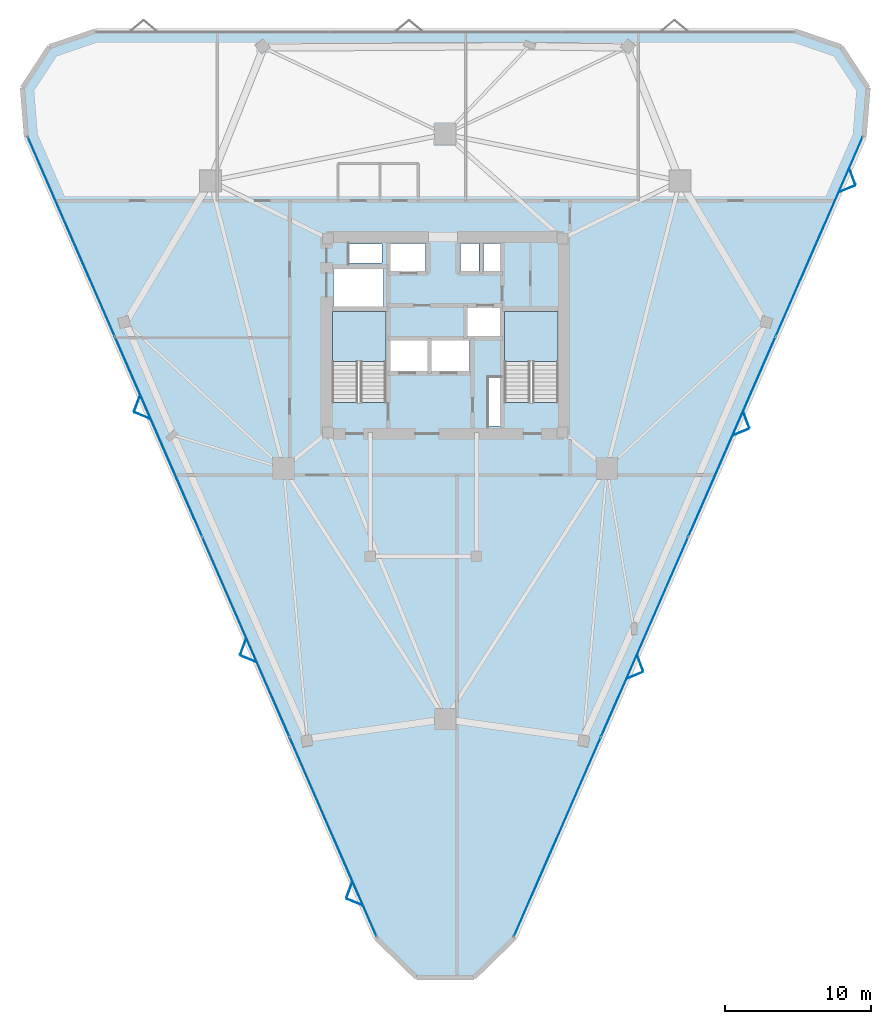
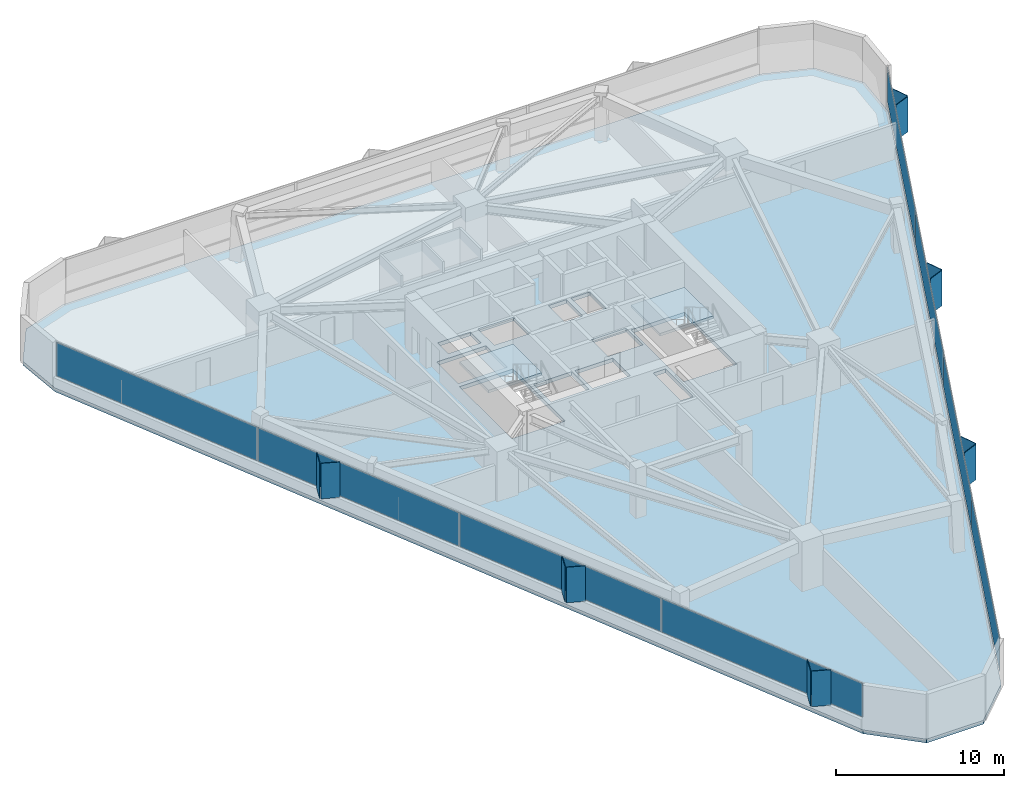
# One storey, part 10 of 16: 20 plates, 3 slabs, 4 elements without a shape of their own.
"""IFC4 building model written with IfcOpenShell, lengths in metres."""

from ifc_helpers import new_model, si_unit, direction, frame, origin, origin_2d, place, context, subcontext, project, spatial, polyline, rectangle, outline, extrude, material, layer, layer_set, type_object, element, aggregate, save


model = new_model("IFC4")

# Units and contexts
model_context = context("Model", 3, precision=1e-05, world=origin(), true_north=direction((0.0, 1.0)))
body_context = subcontext(model_context, "Body", "Model", "MODEL_VIEW")
ifc_project = project(units=[si_unit("LENGTHUNIT", "METRE"), si_unit("AREAUNIT", "SQUARE_METRE"), si_unit("VOLUMEUNIT", "CUBIC_METRE"), si_unit("PLANEANGLEUNIT", "RADIAN"), si_unit("MASSUNIT", "GRAM", prefix="KILO")], contexts=[model_context])

# Site, building, storey
site_placement = place(None, origin())
site = spatial("IfcSite", under=ifc_project, at=site_placement, CompositionType="ELEMENT")
building_placement = place(site_placement, origin())
building = spatial("IfcBuilding", under=site, at=building_placement, Name="Talyreon Biosciences Tower", CompositionType="ELEMENT")
storey_placement = place(building_placement, frame((0.0, 0.0, 134.5)))
storey = spatial("IfcBuildingStorey", under=building, at=storey_placement, Name="L35", CompositionType="ELEMENT", Elevation=134.5)

# Curtain wall, plates
ifc_material_1 = material(Name="Thermally broken aluminium and low-E glazing", Category="aluminium")
ifc_layer_1 = layer(ifc_material_1, 0.18505859375)
ifc_layer_set_1 = layer_set([ifc_layer_1], Name="Thermally broken aluminium and low-E glazing")
curtain_wall_type = type_object("IfcCurtainWallType", Name="CurtainWall_Zone3Bioprocess", PredefinedType="NOTDEFINED", material=ifc_layer_set_1)
curtain_wall_1_placement = place(storey_placement, origin())
curtain_wall_1 = element("IfcCurtainWall", 1, at=curtain_wall_1_placement, inside=storey, type_object=curtain_wall_type, Name="L35 Unitised Curtain Wall FCW-L35-00", PredefinedType="NOTDEFINED")
ifc_material_2 = material(Name="Triple-silver low-E insulated glazing", Category="glass")
ifc_layer_2 = layer(ifc_material_2, 0.031982421875)
ifc_layer_set_2 = layer_set([ifc_layer_2], Name="Triple-silver low-E insulated glazing")
plate_type_1 = type_object("IfcPlateType", Name="CWGlazingPanel_32", PredefinedType="CURTAIN_PANEL", material=ifc_layer_set_2)
plate_1_placement = place(storey_placement, frame((58.305908203125, 33.604736328125, 0.875), z_axis=(0.0, 0.0, 1.0), x_axis=(-0.399882429801, 0.916566441856, 0.0)))
plate_1 = element("IfcPlate", 2, at=plate_1_placement, type_object=plate_type_1, Name="CW4 panel 1.1", PredefinedType="CURTAIN_PANEL", context=body_context, shape_type="SweptSolid", body=[
    extrude(rectangle(XDim=14.88037109375, YDim=0.031982421875, at=origin_2d()), origin(), (0.0, 0.0, 1.0), 2.43505859375),
])
plate_2_placement = place(storey_placement, frame((52.322998046875, 47.318115234375, 0.875), z_axis=(0.0, 0.0, 1.0), x_axis=(-0.399882429801, 0.916566441856, 0.0)))
plate_2 = element("IfcPlate", 3, at=plate_2_placement, type_object=plate_type_1, Name="CW4 panel 2.1", PredefinedType="CURTAIN_PANEL", context=body_context, shape_type="SweptSolid", body=[
    extrude(rectangle(XDim=14.9130859375, YDim=0.031982421875, at=origin_2d()), origin(), (0.0, 0.0, 1.0), 2.43505859375),
])
plate_3_placement = place(storey_placement, frame((46.333740234375, 61.04638671875, 0.875), z_axis=(0.0, 0.0, 1.0), x_axis=(-0.399882429801, 0.916566441856, 0.0)))
plate_3 = element("IfcPlate", 4, at=plate_3_placement, type_object=plate_type_1, Name="CW4 panel 3.1", PredefinedType="CURTAIN_PANEL", context=body_context, shape_type="SweptSolid", body=[
    extrude(rectangle(XDim=14.9130859375, YDim=0.031982421875, at=origin_2d()), origin(), (0.0, 0.0, 1.0), 2.43505859375),
])
plate_4_placement = place(storey_placement, frame((40.350830078125, 74.759765625, 0.875), z_axis=(0.0, 0.0, 1.0), x_axis=(-0.399882429801, 0.916566441856, 0.0)))
plate_4 = element("IfcPlate", 5, at=plate_4_placement, type_object=plate_type_1, Name="CW4 panel 4.1", PredefinedType="CURTAIN_PANEL", context=body_context, shape_type="SweptSolid", body=[
    extrude(rectangle(XDim=14.88037109375, YDim=0.031982421875, at=origin_2d()), origin(), (0.0, 0.0, 1.0), 2.43505859375),
])
aggregate(curtain_wall_1, [plate_1, plate_2, plate_3, plate_4])

curtain_wall_2_placement = place(storey_placement, origin())
curtain_wall_2 = element("IfcCurtainWall", 6, at=curtain_wall_2_placement, inside=storey, type_object=curtain_wall_type, Name="L35 Unitised Curtain Wall FCW-L35-08", PredefinedType="NOTDEFINED")
plate_5_placement = place(storey_placement, frame((91.649169921875, 74.759765625, 0.875), z_axis=(0.0, 0.0, 1.0), x_axis=(-0.399882429801, -0.916566441856, 0.0)))
plate_5 = element("IfcPlate", 7, at=plate_5_placement, type_object=plate_type_1, Name="CW4 panel 1.1", PredefinedType="CURTAIN_PANEL", context=body_context, shape_type="SweptSolid", body=[
    extrude(rectangle(XDim=14.88037109375, YDim=0.031982421875, at=origin_2d()), origin(), (0.0, 0.0, 1.0), 2.43505859375),
])
plate_6_placement = place(storey_placement, frame((85.666259765625, 61.04638671875, 0.875), z_axis=(0.0, 0.0, 1.0), x_axis=(-0.399882429801, -0.916566441856, 0.0)))
plate_6 = element("IfcPlate", 8, at=plate_6_placement, type_object=plate_type_1, Name="CW4 panel 2.1", PredefinedType="CURTAIN_PANEL", context=body_context, shape_type="SweptSolid", body=[
    extrude(rectangle(XDim=14.9130859375, YDim=0.031982421875, at=origin_2d()), origin(), (0.0, 0.0, 1.0), 2.43505859375),
])
plate_7_placement = place(storey_placement, frame((79.677001953125, 47.318115234375, 0.875), z_axis=(0.0, 0.0, 1.0), x_axis=(-0.399882429801, -0.916566441856, 0.0)))
plate_7 = element("IfcPlate", 9, at=plate_7_placement, type_object=plate_type_1, Name="CW4 panel 3.1", PredefinedType="CURTAIN_PANEL", context=body_context, shape_type="SweptSolid", body=[
    extrude(rectangle(XDim=14.9130859375, YDim=0.031982421875, at=origin_2d()), origin(), (0.0, 0.0, 1.0), 2.43505859375),
])
plate_8_placement = place(storey_placement, frame((73.694091796875, 33.604736328125, 0.875), z_axis=(0.0, 0.0, 1.0), x_axis=(-0.399882429801, -0.916566441856, 0.0)))
plate_8 = element("IfcPlate", 10, at=plate_8_placement, type_object=plate_type_1, Name="CW4 panel 4.1", PredefinedType="CURTAIN_PANEL", context=body_context, shape_type="SweptSolid", body=[
    extrude(rectangle(XDim=14.88037109375, YDim=0.031982421875, at=origin_2d()), origin(), (0.0, 0.0, 1.0), 2.43505859375),
])
aggregate(curtain_wall_2, [plate_5, plate_6, plate_7, plate_8])

# Plates
ifc_material_3 = material(Name="Ivory GFRC sunshade panel", Category="concrete")
ifc_layer_3 = layer(ifc_material_3, 0.044921875)
ifc_layer_set_3 = layer_set([ifc_layer_3], Name="Ivory GFRC sunshade panel")
plate_type_2 = type_object("IfcPlateType", Name="FoldedVSunshade_SunFace_SUNSHADE", PredefinedType="USERDEFINED", material=ifc_layer_set_3)
for number, where, z_axis, x_axis, name in (
    (11, (59.7763671875, 29.134521484375, 0.7900390625), (0.0, 0.0, 1.0), (-0.924353038144, 0.381538282317, 0.0), "L35 Folded V-Sunshade Panel 00.01L"),
    (12, (59.41650390625, 29.959228515625, 0.7900390625), (0.0, 0.0, 1.0), (0.349046403698, 0.937105441274, 0.0), "L35 Folded V-Sunshade Panel 00.01R"),
    (13, (52.498291015625, 45.81591796875, 0.7900390625), (0.0, 0.0, 1.0), (-0.924353038144, 0.381538282317, 0.0), "L35 Folded V-Sunshade Panel 00.02L"),
    (14, (52.138427734375, 46.640869140625, 0.7900390625), (0.0, 0.0, 1.0), (0.349046403698, 0.937105441274, 0.0), "L35 Folded V-Sunshade Panel 00.02R"),
    (15, (45.220458984375, 62.497314453125, 0.7900390625), (0.0, 0.0, 1.0), (-0.924353038144, 0.381538282317, 0.0), "L35 Folded V-Sunshade Panel 00.03L"),
    (16, (44.860595703125, 63.322265625, 0.7900390625), (0.0, 0.0, 1.0), (0.349046403698, 0.937105441274, 0.0), "L35 Folded V-Sunshade Panel 00.03R"),
    (17, (93.926025390625, 78.878173828125, 0.7900390625), (0.0, 0.0, 1.0), (0.349046403698, -0.937105441274, 0.0), "L35 Folded V-Sunshade Panel 08.01L"),
    (18, (93.566162109375, 78.05322265625, 0.7900390625), (0.0, 0.0, 1.0), (-0.924353038144, -0.381538282317, 0.0), "L35 Folded V-Sunshade Panel 08.01R"),
    (19, (86.648193359375, 62.196533203125, 0.7900390625), (0.0, 0.0, 1.0), (0.349046403698, -0.937105441274, 0.0), "L35 Folded V-Sunshade Panel 08.02L"),
    (20, (86.288330078125, 61.37158203125, 0.7900390625), (0.0, 0.0, 1.0), (-0.924353038144, -0.381538282317, 0.0), "L35 Folded V-Sunshade Panel 08.02R"),
    (21, (79.370361328125, 45.51513671875, 0.7900390625), (0.0, 0.0, 1.0), (0.349046403698, -0.937105441274, 0.0), "L35 Folded V-Sunshade Panel 08.03L"),
    (22, (79.010498046875, 44.690185546875, 0.7900390625), (0.0, 0.0, 1.0), (-0.924353038144, -0.381538282317, 0.0), "L35 Folded V-Sunshade Panel 08.03R"),
):
    element("IfcPlate", number, at=place(storey_placement, frame(where, z_axis=z_axis, x_axis=x_axis)), inside=storey, type_object=plate_type_2, Name=name, ObjectType="SUNSHADE", PredefinedType="USERDEFINED", context=body_context, shape_type="SweptSolid", body=[
        extrude(rectangle(XDim=1.14990234375, YDim=0.044921875, at=origin_2d()), origin(), (0.0, 0.0, 1.0), 2.5849609375),
    ])

# Stair, slab
ifc_material_4 = material(Name="Concrete C40/50", Category="concrete")
stair_type = type_object("IfcStairType", Name="DoglegEscapeStair_3650", PredefinedType="HALF_TURN_STAIR", material=ifc_material_4)
stair_1_placement = place(storey_placement, origin())
stair_1 = element("IfcStair", 23, at=stair_1_placement, inside=storey, type_object=stair_type, Name="L35 Core Escape Stair 1", PredefinedType="HALF_TURN_STAIR")
ifc_layer_4 = layer(ifc_material_4, 0.199951171875)
ifc_layer_set_4 = layer_set([ifc_layer_4], Name="Concrete C40/50")
slab_type_1 = type_object("IfcSlabType", Name="StairLandingSlab_200", PredefinedType="LANDING", material=ifc_layer_set_4)
slab_1_placement = place(storey_placement, frame((0.0, 0.0, 1.625)))
slab_1 = element("IfcSlab", 24, at=slab_1_placement, type_object=slab_type_1, Name="ST-1 landing 1", PredefinedType="LANDING", context=body_context, shape_type="SweptSolid", body=[
    extrude(outline(polyline([(61.929931640625, 66.199951171875), (61.929931640625, 69.64990234375), (58.25, 69.64990234375), (58.25, 66.199951171875), (61.929931640625, 66.199951171875)])), origin(), (0.0, 0.0, 1.0), 0.199951171875),
])
aggregate(stair_1, [slab_1])

stair_2_placement = place(storey_placement, origin())
stair_2 = element("IfcStair", 25, at=stair_2_placement, inside=storey, type_object=stair_type, Name="L35 Core Escape Stair 2", PredefinedType="HALF_TURN_STAIR")
slab_2_placement = place(storey_placement, frame((0.0, 0.0, 1.625)))
slab_2 = element("IfcSlab", 26, at=slab_2_placement, type_object=slab_type_1, Name="ST-2 landing 1", PredefinedType="LANDING", context=body_context, shape_type="SweptSolid", body=[
    extrude(outline(polyline([(73.75, 66.199951171875), (73.75, 69.64990234375), (70.070068359375, 69.64990234375), (70.070068359375, 66.199951171875), (73.75, 66.199951171875)])), origin(), (0.0, 0.0, 1.0), 0.199951171875),
])
aggregate(stair_2, [slab_2])

# Slab
ifc_layer_5 = layer(ifc_material_4, 0.27490234375)
ifc_layer_set_5 = layer_set([ifc_layer_5], Name="Concrete C40/50")
slab_type_2 = type_object("IfcSlabType", Name="WetLabFloorSlab_275", PredefinedType="FLOOR", material=ifc_layer_set_5)
slab_3_placement = place(storey_placement, frame((0.0, 0.0, -0.27490234375)))
element("IfcSlab", 27, at=slab_3_placement, inside=storey, type_object=slab_type_2, Name="L35 Structural Floor Slab", PredefinedType="FLOOR", context=body_context, shape_type="SweptSolid", body=[
    extrude(outline(polyline([(61.23388671875, 26.693603515625), (37.276123046875, 81.606689453125), (37.003173828125, 84.969482421875), (38.85107421875, 87.791748046875), (42.042236328125, 88.88623046875), (89.957763671875, 88.88623046875), (93.14892578125, 87.791748046875), (94.996826171875, 84.969482421875), (94.723876953125, 81.606689453125), (70.76611328125, 26.693603515625), (67.9599609375, 23.95654296875), (64.0400390625, 23.95654296875), (61.23388671875, 26.693603515625)]), holes=[polyline([(61.929931640625, 69.64990234375), (61.929931640625, 63.407958984375), (58.25, 63.407958984375), (58.25, 69.64990234375), (61.929931640625, 69.64990234375)]), polyline([(64.800048828125, 67.64990234375), (64.800048828125, 65.550048828125), (62.199951171875, 65.550048828125), (62.199951171875, 67.64990234375), (64.800048828125, 67.64990234375)]), polyline([(67.64990234375, 67.64990234375), (67.64990234375, 65.550048828125), (65.050048828125, 65.550048828125), (65.050048828125, 67.64990234375), (67.64990234375, 67.64990234375)]), polyline([(61.75, 69.97998046875), (58.35009765625, 69.97998046875), (58.35009765625, 72.550048828125), (61.75, 72.550048828125), (61.75, 69.97998046875)]), polyline([(64.64990234375, 72.35009765625), (62.199951171875, 72.35009765625), (62.199951171875, 74.300048828125), (64.64990234375, 74.300048828125), (64.64990234375, 72.35009765625)]), polyline([(61.64990234375, 74.25), (61.64990234375, 72.9599609375), (59.39990234375, 72.9599609375), (59.39990234375, 74.25), (61.64990234375, 74.25)]), polyline([(69.820068359375, 61.800048828125), (68.9599609375, 61.800048828125), (68.9599609375, 65.10009765625), (69.820068359375, 65.10009765625), (69.820068359375, 61.800048828125)]), polyline([(73.75, 63.407958984375), (70.070068359375, 63.407958984375), (70.070068359375, 69.64990234375), (73.75, 69.64990234375), (73.75, 63.407958984375)]), polyline([(69.89990234375, 69.949951171875), (69.89990234375, 67.949951171875), (67.5, 67.949951171875), (67.5, 69.949951171875), (69.89990234375, 69.949951171875)]), polyline([(68.300048828125, 72.35009765625), (67.050048828125, 72.35009765625), (67.050048828125, 74.300048828125), (68.300048828125, 74.300048828125), (68.300048828125, 72.35009765625)]), polyline([(69.919921875, 72.35009765625), (68.6201171875, 72.35009765625), (68.6201171875, 74.300048828125), (69.919921875, 74.300048828125), (69.919921875, 72.35009765625)])]), origin(), (0.0, 0.0, 1.0), 0.27490234375),
])

save(model, "model.ifc")
